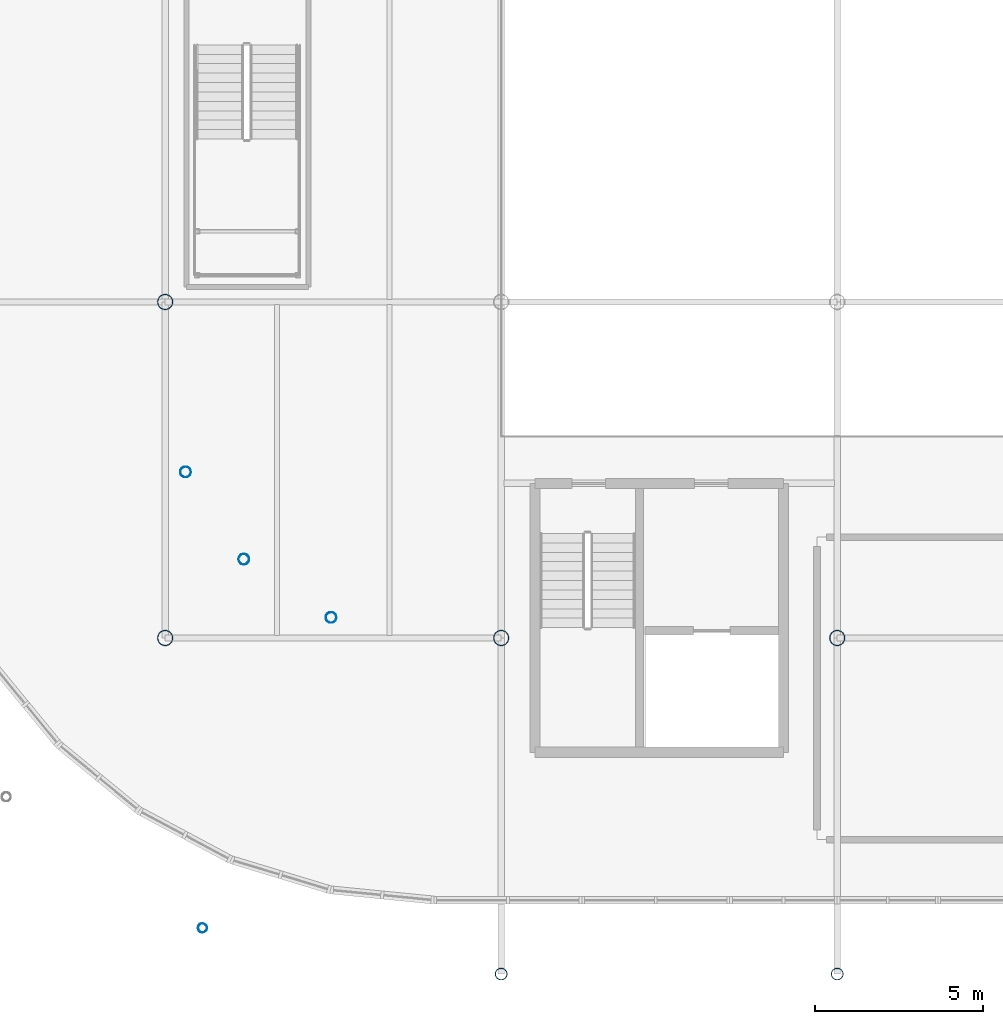
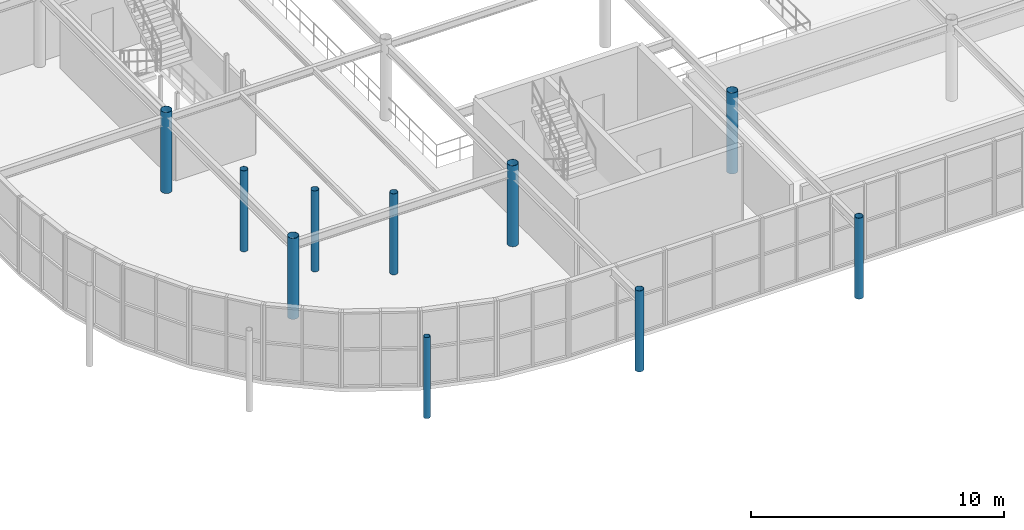
# One storey, part 7 of 98: 10 columns.
"""IFC4 building model written with IfcOpenShell, lengths in metres."""

from ifc_helpers import new_model, si_unit, derived_unit, direction, frame, origin, origin_2d_with_axis, place, context, subcontext, project, spatial, hollow_circle, extrude, material, material_profile, profile_set, type_object, element, save


model = new_model("IFC4")

# Units and contexts
model_context = context("Model", 3, precision=1e-05, world=origin(), true_north=direction((0.0, 1.0)))
body_context = subcontext(model_context, "Body", "Model", "MODEL_VIEW")
ifc_project = project(units=[si_unit("LENGTHUNIT", "METRE"), si_unit("AREAUNIT", "SQUARE_METRE"), si_unit("VOLUMEUNIT", "CUBIC_METRE"), si_unit("PLANEANGLEUNIT", "RADIAN"), si_unit("MASSUNIT", "GRAM", prefix="KILO"), derived_unit("THERMALTRANSMITTANCEUNIT", [(si_unit("POWERUNIT", "WATT"), 1), (si_unit("LENGTHUNIT", "METRE"), -2), (si_unit("THERMODYNAMICTEMPERATUREUNIT", "KELVIN"), -1)])], contexts=[model_context])

# Site, building, storey
site_placement = place(None, origin())
site = spatial("IfcSite", under=ifc_project, at=site_placement, CompositionType="ELEMENT")
building_placement = place(site_placement, origin())
building = spatial("IfcBuilding", under=site, at=building_placement, Name="Cinnabar Yard Market Hall", CompositionType="ELEMENT")
storey_placement = place(building_placement, frame((0.0, 0.0, 4.5)))
storey = spatial("IfcBuildingStorey", under=building, at=storey_placement, Name="L01", CompositionType="ELEMENT", Elevation=4.5)

# Columns
ifc_material = material(Name="Spotted-gum glulam-clad steel Grade 350 (350 MPa)", Category="steel")
ifc_material_profile_1 = material_profile(ifc_material, hollow_circle(Radius=0.228515625, WallThickness=0.0126953125, at=origin_2d_with_axis()), Name="457.0x12.7CHS")
ifc_profile_set_1 = profile_set([ifc_material_profile_1], Name="Spotted-gum glulam-clad steel Grade 350 (350 MPa)")
column_type_1 = type_object("IfcColumnType", Name="COL-C01", PredefinedType="COLUMN", material=ifc_profile_set_1)
for number, where, z_axis, x_axis, name in (
    (1, (76.0, 24.0, 0.0), (0.0, 0.0, 1.0), (1.0, 0.0, 0.0), "Tree Column V1I-01-01 L01"),
    (2, (76.0, 34.0, 0.0), (0.0, 0.0, 1.0), (1.0, 0.0, 0.0), "Tree Column V1I-01-02 L01"),
    (3, (86.0, 24.0, 0.0), (0.0, 0.0, 1.0), (1.0, 0.0, 0.0), "Tree Column V1I-02-01 L01"),
    (4, (96.0, 24.0, 0.0), (0.0, 0.0, 1.0), (1.0, 0.0, 0.0), "Tree Column V1I-03-01 L01"),
):
    element("IfcColumn", number, at=place(storey_placement, frame(where, z_axis=z_axis, x_axis=x_axis)), inside=storey, type_object=column_type_1, Name=name, PredefinedType="COLUMN", context=body_context, shape_type="SweptSolid", body=[
        extrude(hollow_circle(Radius=0.228515625, WallThickness=0.0126953125, at=origin_2d_with_axis()), origin(), (0.0, 0.0, 1.0), 3.89990234375),
    ])
ifc_material_profile_2 = material_profile(ifc_material, hollow_circle(Radius=0.177734375, WallThickness=0.0126953125, at=origin_2d_with_axis()), Name="355.6x12.7CHS")
ifc_profile_set_2 = profile_set([ifc_material_profile_2], Name="Spotted-gum glulam-clad steel Grade 350 (350 MPa)")
column_type_2 = type_object("IfcColumnType", Name="COL-C02E", PredefinedType="COLUMN", material=ifc_profile_set_2)
for number, where, z_axis, x_axis, name in (
    (5, (86.0, 14.0, 0.0), (0.0, 0.0, 1.0), (1.0, 0.0, 0.0), "Tree Column V1S-01 L01"),
    (6, (96.0, 14.0, 0.0), (0.0, 0.0, 1.0), (1.0, 0.0, 0.0), "Tree Column V1S-02 L01"),
):
    element("IfcColumn", number, at=place(storey_placement, frame(where, z_axis=z_axis, x_axis=x_axis)), inside=storey, type_object=column_type_2, Name=name, PredefinedType="COLUMN", context=body_context, shape_type="SweptSolid", body=[
        extrude(hollow_circle(Radius=0.177734375, WallThickness=0.0126953125, at=origin_2d_with_axis()), origin(), (0.0, 0.0, 1.0), 3.89990234375),
    ])
ifc_material_profile_3 = material_profile(ifc_material, hollow_circle(Radius=0.161865234375, WallThickness=0.009521484375, at=origin_2d_with_axis()), Name="323.9x9.5CHS")
ifc_profile_set_3 = profile_set([ifc_material_profile_3], Name="Spotted-gum glulam-clad steel Grade 350 (350 MPa)")
column_type_3 = type_object("IfcColumnType", Name="COL-C03", PredefinedType="COLUMN", material=ifc_profile_set_3)
for number, where, z_axis, x_axis, name in (
    (7, (76.60888671875, 28.9384765625, 0.0), (0.0, 0.0, 1.0), (1.0, 0.0, 0.0), "Tree Column V1IC-SW2 L01"),
    (8, (78.343017578125, 26.343017578125, 0.0), (0.0, 0.0, 1.0), (1.0, 0.0, 0.0), "Tree Column V1IC-SW4 L01"),
    (9, (80.9384765625, 24.60888671875, 0.0), (0.0, 0.0, 1.0), (1.0, 0.0, 0.0), "Tree Column V1IC-SW6 L01"),
):
    element("IfcColumn", number, at=place(storey_placement, frame(where, z_axis=z_axis, x_axis=x_axis)), inside=storey, type_object=column_type_3, Name=name, PredefinedType="COLUMN", context=body_context, shape_type="SweptSolid", body=[
        extrude(hollow_circle(Radius=0.161865234375, WallThickness=0.009521484375, at=origin_2d_with_axis()), origin(), (0.0, 0.0, 1.0), 3.89990234375),
    ])
ifc_material_profile_4 = material_profile(ifc_material, hollow_circle(Radius=0.136474609375, WallThickness=0.00927734375, at=origin_2d_with_axis()), Name="273.1x9.3CHS")
ifc_profile_set_4 = profile_set([ifc_material_profile_4], Name="Spotted-gum glulam-clad steel Grade 350 (350 MPa)")
column_type_4 = type_object("IfcColumnType", Name="COL-C04E", PredefinedType="COLUMN", material=ifc_profile_set_4)
column_placement = place(storey_placement, frame((77.11181640625, 15.3701171875, 0.0), z_axis=(0.0, 0.0, 1.0), x_axis=(1.0, 0.0, 0.0)))
element("IfcColumn", 10, at=column_placement, inside=storey, type_object=column_type_4, Name="Tree Column V1C-SW6 L01", PredefinedType="COLUMN", context=body_context, shape_type="SweptSolid", body=[
    extrude(hollow_circle(Radius=0.136474609375, WallThickness=0.00927734375, at=origin_2d_with_axis()), origin(), (0.0, 0.0, 1.0), 3.89990234375),
])

save(model, "model.ifc")
